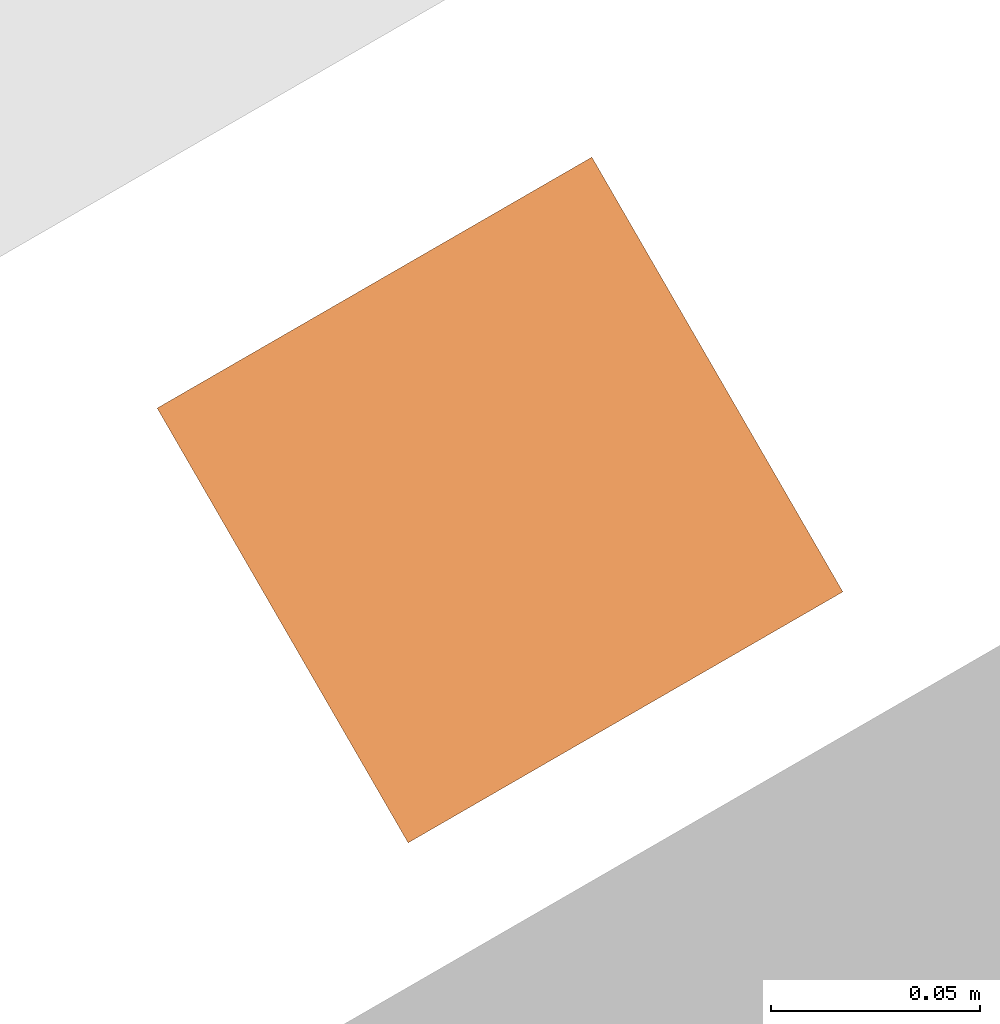
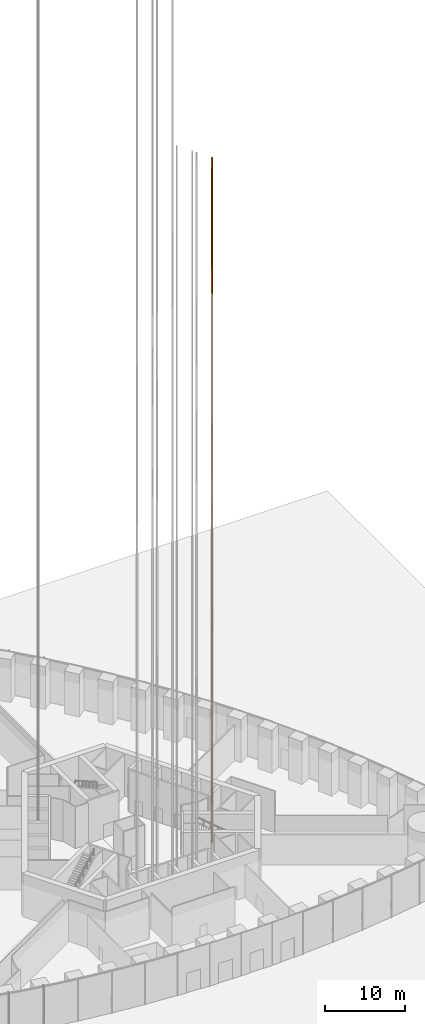
# One storey, part 32 of 43: 1 proxy.
"""IFC4 building model written with IfcOpenShell, lengths in metres."""

from ifc_helpers import new_model, si_unit, direction, frame, origin, origin_2d, place, context, subcontext, project, spatial, rectangle, extrude, element, save


model = new_model("IFC4")

# Units and contexts
model_context = context("Model", 3, precision=1e-05, world=origin(), true_north=direction((0.0, 1.0)))
body_context = subcontext(model_context, "Body", "Model", "MODEL_VIEW")
ifc_project = project(units=[si_unit("LENGTHUNIT", "METRE"), si_unit("AREAUNIT", "SQUARE_METRE"), si_unit("VOLUMEUNIT", "CUBIC_METRE"), si_unit("PLANEANGLEUNIT", "RADIAN"), si_unit("MASSUNIT", "GRAM", prefix="KILO")], contexts=[model_context])

# Site, building, storey
site_placement = place(None, origin())
site = spatial("IfcSite", under=ifc_project, at=site_placement, CompositionType="ELEMENT")
building_placement = place(site_placement, origin())
building = spatial("IfcBuilding", under=site, at=building_placement, Name="Trefoil Bronze Tower", CompositionType="ELEMENT")
storey_placement = place(building_placement, origin())
storey = spatial("IfcBuildingStorey", under=building, at=storey_placement, Name="L00", CompositionType="ELEMENT", Elevation=0.0)

# Proxy
proxy_placement = place(storey_placement, frame((12.489501953125, 0.99267578125, -1.599853515625), z_axis=(0.0, 0.0, 1.0), x_axis=(-0.5, 0.866025403784, 0.0)))
element("IfcBuildingElementProxy", 1, at=proxy_placement, inside=storey, Name="Lift S1 guide rail 1", ObjectType="LIFT GUIDE RAIL", PredefinedType="USERDEFINED", context=body_context, shape_type="SweptSolid", body=[
    extrude(rectangle(XDim=0.1201171875, YDim=0.1201171875, at=origin_2d()), origin(), (0.0, 0.0, 1.0), 104.14990234375),
])

save(model, "model.ifc")
